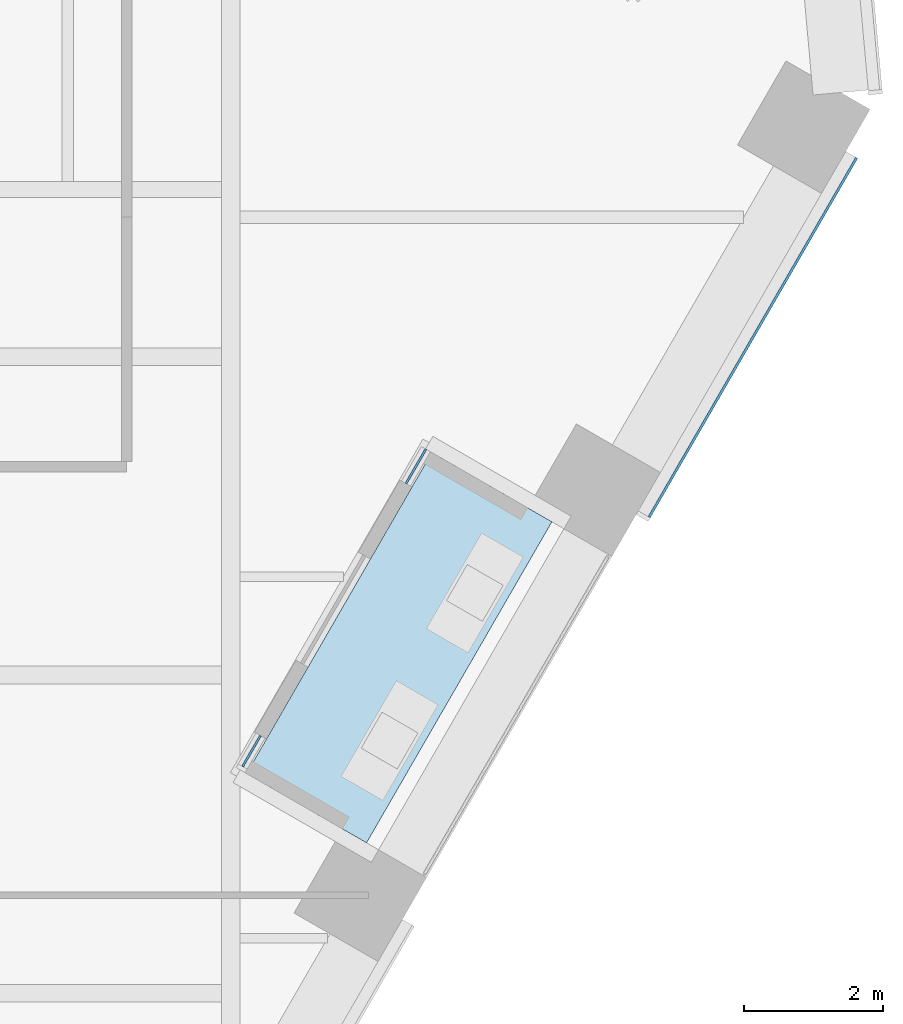
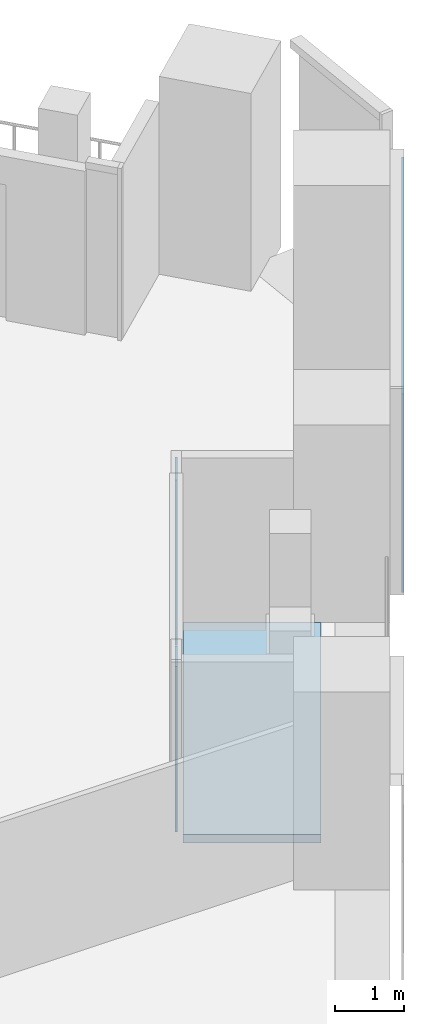
# One storey, part 15 of 26: 3 plates, 1 slab, 2 elements without a shape of their own.
"""IFC4 building model written with IfcOpenShell, lengths in metres."""

from ifc_helpers import new_model, si_unit, direction, frame, origin, origin_2d, place, context, subcontext, project, spatial, polyline, rectangle, outline, extrude, material, layer, layer_set, type_object, element, aggregate, save


model = new_model("IFC4")

# Units and contexts
model_context = context("Model", 3, precision=1e-05, world=origin(), true_north=direction((0.0, 1.0)))
body_context = subcontext(model_context, "Body", "Model", "MODEL_VIEW")
ifc_project = project(units=[si_unit("LENGTHUNIT", "METRE"), si_unit("AREAUNIT", "SQUARE_METRE"), si_unit("VOLUMEUNIT", "CUBIC_METRE"), si_unit("PLANEANGLEUNIT", "RADIAN"), si_unit("MASSUNIT", "GRAM", prefix="KILO")], contexts=[model_context])

# Site, building, storey
site_placement = place(None, origin())
site = spatial("IfcSite", under=ifc_project, at=site_placement, CompositionType="ELEMENT")
building_placement = place(site_placement, origin())
building = spatial("IfcBuilding", under=site, at=building_placement, Name="Isthmus Gate Tower", CompositionType="ELEMENT")
storey_placement = place(building_placement, frame((0.0, 0.0, 129.800048828125)))
storey = spatial("IfcBuildingStorey", under=building, at=storey_placement, Name="L31", CompositionType="ELEMENT", Elevation=129.800048828125)

# Curtain wall, plate
ifc_material_1 = material(Name="Aluminium, pale champagne anodised", Category="aluminium")
ifc_layer_1 = layer(ifc_material_1, 0.199951171875)
ifc_layer_set_1 = layer_set([ifc_layer_1], Name="CW-1 UNITISED CURTAIN WALL 200 DEEP")
curtain_wall_type_1 = type_object("IfcCurtainWallType", Name="CW-1 UNITISED CURTAIN WALL 200 DEEP", PredefinedType="NOTDEFINED", material=ifc_layer_set_1)
curtain_wall_1_placement = place(storey_placement, origin())
curtain_wall_1 = element("IfcCurtainWall", 1, at=curtain_wall_1_placement, inside=storey, type_object=curtain_wall_type_1, Name="CW-1 SE L31", PredefinedType="NOTDEFINED")
ifc_material_2 = material(Name="Laminated low-iron glass, pale blue tint", Category="glass")
ifc_layer_2 = layer(ifc_material_2, 0.035888671875)
ifc_layer_set_2 = layer_set([ifc_layer_2], Name="CW-1 CLEAR GLASS LITE 36")
plate_type_1 = type_object("IfcPlateType", Name="CW-1 CLEAR GLASS LITE 36", PredefinedType="CURTAIN_PANEL", material=ifc_layer_set_2)
plate_1_placement = place(storey_placement, frame((31.539794921875, -1.735595703125, 0.0), z_axis=(0.0, 0.0, 1.0), x_axis=(0.5, 0.866025403784, 0.0)))
plate_1 = element("IfcPlate", 2, at=plate_1_placement, type_object=plate_type_1, Name="CW-1 glass lite", PredefinedType="CURTAIN_PANEL", context=body_context, shape_type="SweptSolid", body=[
    extrude(rectangle(XDim=5.990234375, YDim=0.035888671875, at=origin_2d()), origin(), (0.0, 0.0, 1.0), 3.510009765625),
])
aggregate(curtain_wall_1, [plate_1])

# Curtain wall, plates
ifc_material_3 = material(Name="Aluminium, pale champagne anodised", Category="aluminium")
ifc_layer_3 = layer(ifc_material_3, 0.14990234375)
ifc_layer_set_3 = layer_set([ifc_layer_3], Name="CW-6 LOGGIA BACK WALL GLAZING 150 DEEP")
curtain_wall_type_2 = type_object("IfcCurtainWallType", Name="CW-6 LOGGIA BACK WALL GLAZING 150 DEEP", PredefinedType="NOTDEFINED", material=ifc_layer_set_3)
curtain_wall_2_placement = place(storey_placement, origin())
curtain_wall_2 = element("IfcCurtainWall", 3, at=curtain_wall_2_placement, inside=storey, type_object=curtain_wall_type_2, Name="CW-6 SE L31", PredefinedType="NOTDEFINED")
ifc_material_4 = material(Name="Laminated low-iron glass, clear", Category="glass")
ifc_layer_4 = layer(ifc_material_4, 0.031982421875)
ifc_layer_set_4 = layer_set([ifc_layer_4], Name="CW-6 CLEAR GLASS LITE 32")
plate_type_2 = type_object("IfcPlateType", Name="CW-6 CLEAR GLASS LITE 32", PredefinedType="CURTAIN_PANEL", material=ifc_layer_set_4)
plate_2_placement = place(storey_placement, frame((24.3037109375, -7.704833984375, 0.0), z_axis=(0.0, 0.0, 1.0), x_axis=(0.5, 0.866025403784, 0.0)))
plate_2 = element("IfcPlate", 4, at=plate_2_placement, type_object=plate_type_2, Name="CW-6 glass lite", PredefinedType="CURTAIN_PANEL", context=body_context, shape_type="SweptSolid", body=[
    extrude(rectangle(XDim=0.51513671875, YDim=0.031982421875, at=origin_2d()), origin(), (0.0, 0.0, 1.0), 2.929931640625),
])
plate_3_placement = place(storey_placement, frame((26.67626953125, -3.595458984375, 0.0), z_axis=(0.0, 0.0, 1.0), x_axis=(0.5, 0.866025403784, 0.0)))
plate_3 = element("IfcPlate", 5, at=plate_3_placement, type_object=plate_type_2, Name="CW-6 glass lite", PredefinedType="CURTAIN_PANEL", context=body_context, shape_type="SweptSolid", body=[
    extrude(rectangle(XDim=0.574951171875, YDim=0.031982421875, at=origin_2d()), origin(), (0.0, 0.0, 1.0), 2.929931640625),
])
aggregate(curtain_wall_2, [plate_2, plate_3])

# Slab
ifc_material_5 = material(Name="Concrete f'c 50 MPa", Category="concrete")
ifc_layer_5 = layer(ifc_material_5, 0.14990234375)
ifc_layer_set_5 = layer_set([ifc_layer_5], Name="LOGGIA FLOOR SLAB 150")
slab_type = type_object("IfcSlabType", Name="LOGGIA FLOOR SLAB 150", PredefinedType="FLOOR", material=ifc_layer_set_5)
slab_placement = place(storey_placement, frame((0.0, 0.0, -0.150146484375)))
element("IfcSlab", 6, at=slab_placement, inside=storey, type_object=slab_type, Name="LOGGIA FLOOR", PredefinedType="FLOOR", context=body_context, shape_type="SweptSolid", body=[
    extrude(outline(polyline([(25.963623046875, -9.02978515625), (28.638671875, -4.396484375), (26.906494140625, -3.396484375), (24.2314453125, -8.02978515625), (25.963623046875, -9.02978515625)])), origin(), (0.0, 0.0, 1.0), 0.150146484375),
])

save(model, "model.ifc")
